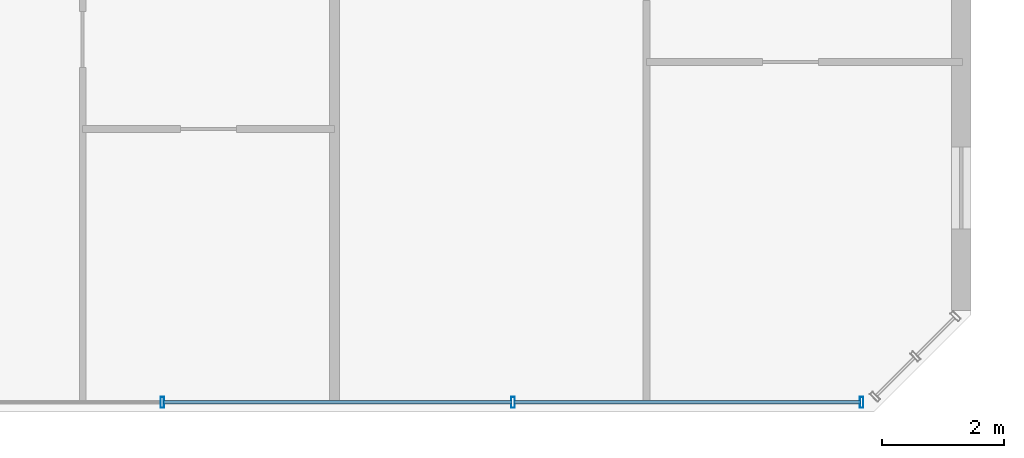
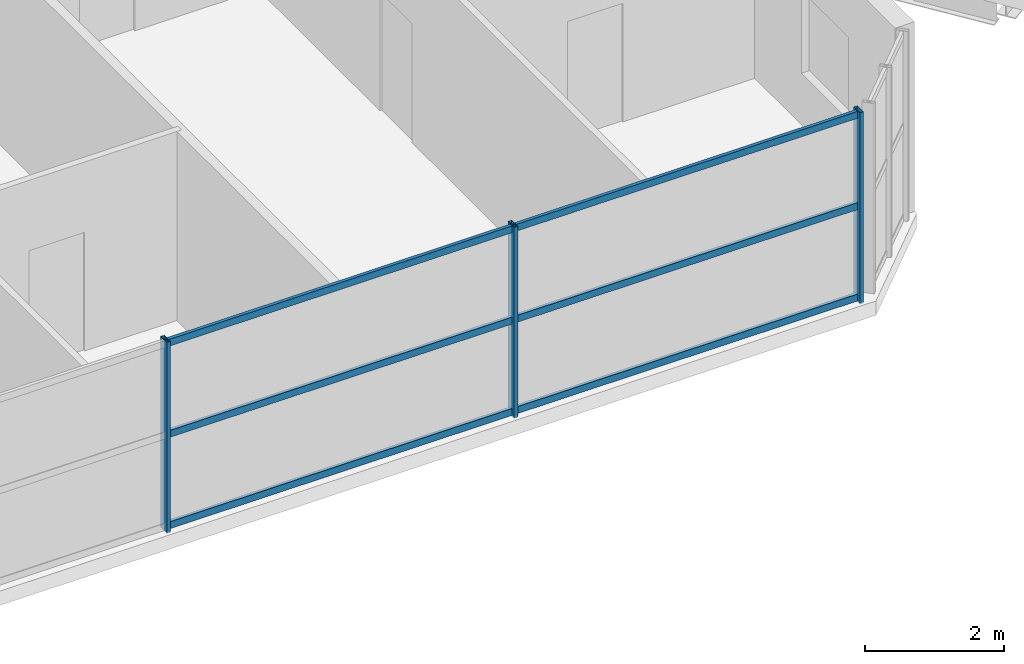
# One storey, part 8 of 27: 9 members, 1 element without a shape of its own.
"""IFC4 building model written with IfcOpenShell, lengths in metres."""

from ifc_helpers import new_model, si_unit, direction, frame, origin, origin_2d, place, context, subcontext, project, spatial, hollow_rectangle, extrude, source, transform, mapped, material, material_profile, profile_set, type_object, element, aggregate, save


model = new_model("IFC4")

# Units and contexts
model_context = context("Model", 3, precision=1e-05, world=origin(), true_north=direction((0.0, 1.0)))
body_context = subcontext(model_context, "Body", "Model", "MODEL_VIEW")
ifc_project = project(units=[si_unit("LENGTHUNIT", "METRE"), si_unit("AREAUNIT", "SQUARE_METRE"), si_unit("VOLUMEUNIT", "CUBIC_METRE"), si_unit("PLANEANGLEUNIT", "RADIAN"), si_unit("MASSUNIT", "GRAM", prefix="KILO")], contexts=[model_context])

# Site, building, storey
site_placement = place(None, origin())
site = spatial("IfcSite", under=ifc_project, at=site_placement, CompositionType="ELEMENT")
building_placement = place(site_placement, origin())
building = spatial("IfcBuilding", under=site, at=building_placement, Name="Tlacorven Tower", CompositionType="ELEMENT")
storey_placement = place(building_placement, frame((0.0, 0.0, 242.10009765625)))
storey = spatial("IfcBuildingStorey", under=building, at=storey_placement, Name="L61", CompositionType="ELEMENT", Elevation=242.10009765625)

# Curtain wall, members
ifc_material_1 = material(Name="Dark solar low-E double glazing in aluminium frame", Category="aluminium")
curtain_wall_type = type_object("IfcCurtainWallType", Name="CW-TWR-HIGH", PredefinedType="USERDEFINED", material=ifc_material_1)
curtain_wall_placement = place(storey_placement, origin())
curtain_wall = element("IfcCurtainWall", 1, at=curtain_wall_placement, inside=storey, type_object=curtain_wall_type, Name="L61 CW-TWR-HIGH Curtain Wall 279", ObjectType="UNITISED CURTAIN WALL", PredefinedType="USERDEFINED")
ifc_material_2 = material(Name="Aluminium 6063-T6 anodised", Category="aluminium")
ifc_material_profile_1 = material_profile(ifc_material_2, hollow_rectangle(XDim=0.054931640625, YDim=0.1201171875, WallThickness=0.00341796875, at=origin_2d()), Name="ALU TRANSOM 55X120")
ifc_profile_set_1 = profile_set([ifc_material_profile_1], Name="Aluminium 6063-T6 anodised")
member_type_1 = type_object("IfcMemberType", Name="CWT-03", PredefinedType="USERDEFINED", material=ifc_profile_set_1)
shared_shape_1 = source(origin(), body_context, "Body", "SweptSolid", [
    extrude(hollow_rectangle(XDim=0.054931640625, YDim=0.1201171875, WallThickness=0.00341796875, at=origin_2d()), origin(), (0.0, 0.0, 1.0), 5.689697265625),
])
member_1_placement = place(storey_placement, frame((50.585693359375, 1.9599609375, 0.059814453125), z_axis=(-1.0, 0.0, 0.0), x_axis=(0.0, -1.0, 0.0)))
member_1 = element("IfcMember", 2, at=member_1_placement, type_object=member_type_1, Name="CW-L61-279 Transom 1", ObjectType="TRANSOM", PredefinedType="USERDEFINED", context=body_context, shape_type="MappedRepresentation", body=[
    mapped(shared_shape_1, transform((0.0, 0.0, 0.0), scale=1.0)),
])
member_2_placement = place(storey_placement, frame((50.585693359375, 1.9599609375, 1.659912109375), z_axis=(-1.0, 0.0, 0.0), x_axis=(0.0, -1.0, 0.0)))
member_2 = element("IfcMember", 3, at=member_2_placement, type_object=member_type_1, Name="CW-L61-279 Transom 2", ObjectType="TRANSOM", PredefinedType="USERDEFINED", context=body_context, shape_type="MappedRepresentation", body=[
    mapped(shared_shape_1, transform((0.0, 0.0, 0.0), scale=1.0)),
])
member_3_placement = place(storey_placement, frame((50.585693359375, 1.9599609375, 3.260009765625), z_axis=(-1.0, 0.0, 0.0), x_axis=(0.0, -1.0, 0.0)))
member_3 = element("IfcMember", 4, at=member_3_placement, type_object=member_type_1, Name="CW-L61-279 Transom 3", ObjectType="TRANSOM", PredefinedType="USERDEFINED", context=body_context, shape_type="MappedRepresentation", body=[
    mapped(shared_shape_1, transform((0.0, 0.0, 0.0), scale=1.0)),
])
shared_shape_2 = source(origin(), body_context, "Body", "SweptSolid", [
    extrude(hollow_rectangle(XDim=0.054931640625, YDim=0.1201171875, WallThickness=0.00341796875, at=origin_2d()), origin(), (0.0, 0.0, 1.0), 5.7197265625),
])
member_4_placement = place(storey_placement, frame((44.85986328125, 1.9599609375, 0.059814453125), z_axis=(-1.0, 0.0, 0.0), x_axis=(0.0, -1.0, 0.0)))
member_4 = element("IfcMember", 5, at=member_4_placement, type_object=member_type_1, Name="CW-L61-279 Transom 4", ObjectType="TRANSOM", PredefinedType="USERDEFINED", context=body_context, shape_type="MappedRepresentation", body=[
    mapped(shared_shape_2, transform((0.0, 0.0, 0.0), scale=1.0)),
])
member_5_placement = place(storey_placement, frame((44.85986328125, 1.9599609375, 1.659912109375), z_axis=(-1.0, 0.0, 0.0), x_axis=(0.0, -1.0, 0.0)))
member_5 = element("IfcMember", 6, at=member_5_placement, type_object=member_type_1, Name="CW-L61-279 Transom 5", ObjectType="TRANSOM", PredefinedType="USERDEFINED", context=body_context, shape_type="MappedRepresentation", body=[
    mapped(shared_shape_2, transform((0.0, 0.0, 0.0), scale=1.0)),
])
member_6_placement = place(storey_placement, frame((44.85986328125, 1.9599609375, 3.260009765625), z_axis=(-1.0, 0.0, 0.0), x_axis=(0.0, -1.0, 0.0)))
member_6 = element("IfcMember", 7, at=member_6_placement, type_object=member_type_1, Name="CW-L61-279 Transom 6", ObjectType="TRANSOM", PredefinedType="USERDEFINED", context=body_context, shape_type="MappedRepresentation", body=[
    mapped(shared_shape_2, transform((0.0, 0.0, 0.0), scale=1.0)),
])
ifc_material_profile_2 = material_profile(ifc_material_2, hollow_rectangle(XDim=0.06005859375, YDim=0.179931640625, WallThickness=0.00390625, at=origin_2d()), Name="ALU MULLION 60X180")
ifc_profile_set_2 = profile_set([ifc_material_profile_2], Name="Aluminium 6063-T6 anodised")
member_type_2 = type_object("IfcMemberType", Name="CWM-03", PredefinedType="MULLION", material=ifc_profile_set_2)
shared_shape_3 = source(origin(), body_context, "Body", "SweptSolid", [
    extrude(hollow_rectangle(XDim=0.06005859375, YDim=0.179931640625, WallThickness=0.00390625, at=origin_2d()), origin(), (0.0, 0.0, 1.0), 3.349853515625),
])
member_7_placement = place(storey_placement, frame((50.603759765625, 1.9599609375, -0.02001953125), z_axis=(0.0, 0.0, 1.0), x_axis=(-1.0, 0.0, 0.0)))
member_7 = element("IfcMember", 8, at=member_7_placement, type_object=member_type_2, Name="CW-L61-279 Mullion 1", PredefinedType="MULLION", context=body_context, shape_type="MappedRepresentation", body=[
    mapped(shared_shape_3, transform((0.0, 0.0, 0.0), scale=1.0)),
])
member_8_placement = place(storey_placement, frame((44.8779296875, 1.9599609375, -0.02001953125), z_axis=(0.0, 0.0, 1.0), x_axis=(-1.0, 0.0, 0.0)))
member_8 = element("IfcMember", 9, at=member_8_placement, type_object=member_type_2, Name="CW-L61-279 Mullion 2", PredefinedType="MULLION", context=body_context, shape_type="MappedRepresentation", body=[
    mapped(shared_shape_3, transform((0.0, 0.0, 0.0), scale=1.0)),
])
member_9_placement = place(storey_placement, frame((39.1220703125, 1.9599609375, -0.02001953125), z_axis=(0.0, 0.0, 1.0), x_axis=(-1.0, 0.0, 0.0)))
member_9 = element("IfcMember", 10, at=member_9_placement, type_object=member_type_2, Name="CW-L61-279 Mullion 3", PredefinedType="MULLION", context=body_context, shape_type="MappedRepresentation", body=[
    mapped(shared_shape_3, transform((0.0, 0.0, 0.0), scale=1.0)),
])
aggregate(curtain_wall, [member_7, member_8, member_9, member_1, member_2, member_3, member_4, member_5, member_6])

save(model, "model.ifc")
